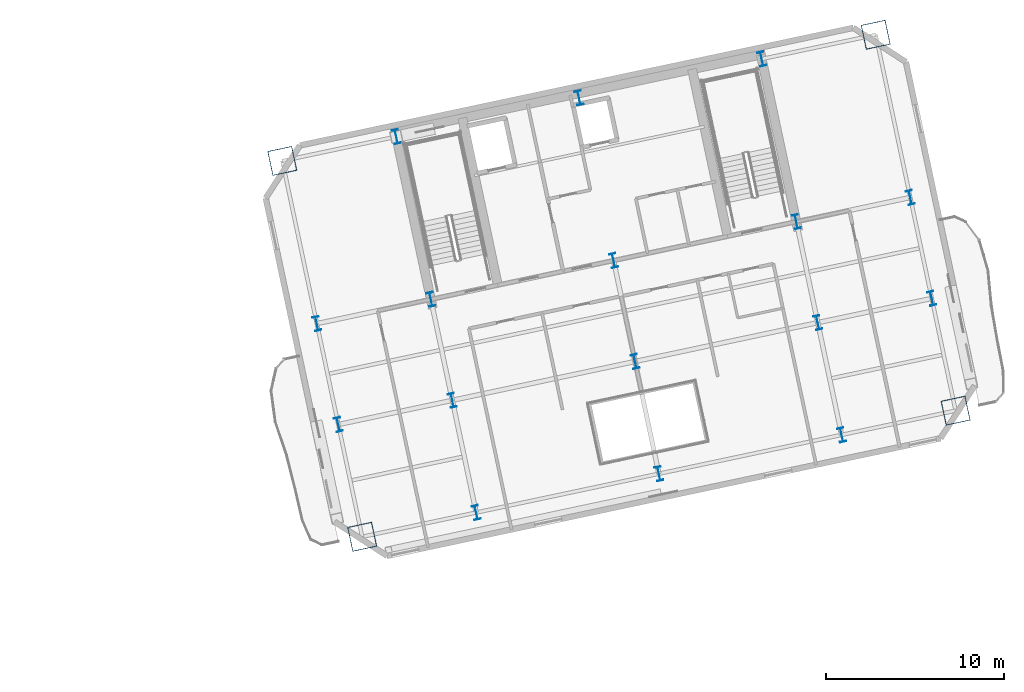
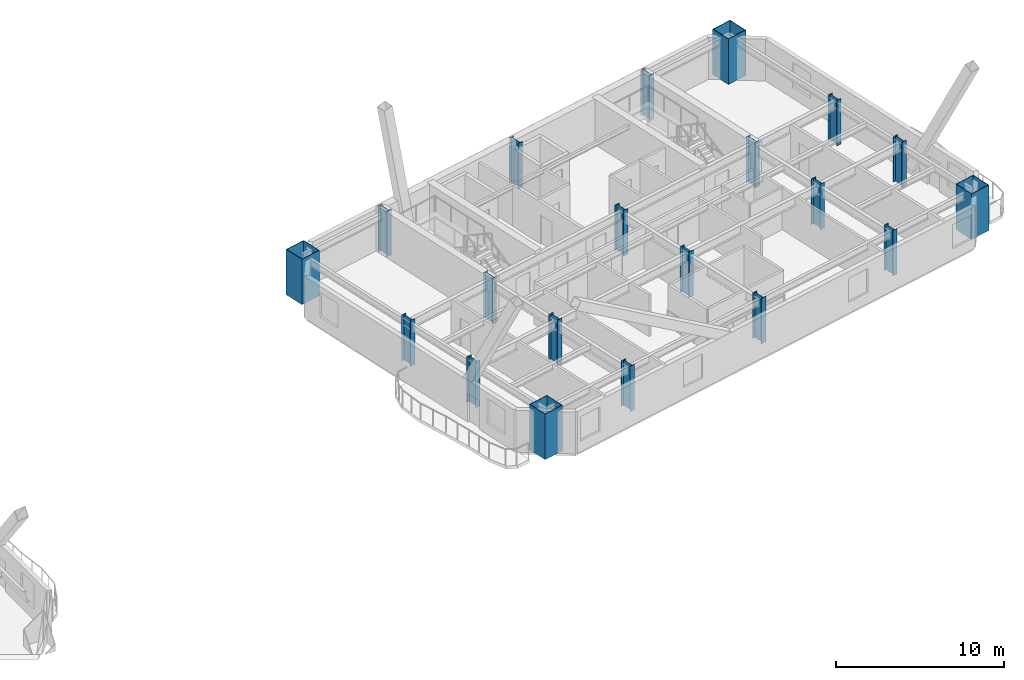
# One storey, part 2 of 14: 20 columns.
"""IFC4 building model written with IfcOpenShell, lengths in metres."""

from ifc_helpers import new_model, si_unit, direction, frame, origin, origin_2d, place, context, subcontext, project, spatial, hollow_rectangle, i_section, extrude, material, material_profile, profile_set, type_object, element, save


model = new_model("IFC4")

# Units and contexts
model_context = context("Model", 3, precision=1e-05, world=origin(), true_north=direction((0.0, 1.0)))
body_context = subcontext(model_context, "Body", "Model", "MODEL_VIEW")
ifc_project = project(units=[si_unit("LENGTHUNIT", "METRE"), si_unit("AREAUNIT", "SQUARE_METRE"), si_unit("VOLUMEUNIT", "CUBIC_METRE"), si_unit("PLANEANGLEUNIT", "RADIAN"), si_unit("MASSUNIT", "GRAM", prefix="KILO")], contexts=[model_context])

# Site, building, storey
site_placement = place(None, origin())
site = spatial("IfcSite", under=ifc_project, at=site_placement, CompositionType="ELEMENT")
building_placement = place(site_placement, origin())
building = spatial("IfcBuilding", under=site, at=building_placement, Name="Haevon Station Towers", CompositionType="ELEMENT")
storey_placement = place(building_placement, frame((0.0, 0.0, 123.0)))
storey = spatial("IfcBuildingStorey", under=building, at=storey_placement, Name="L33", CompositionType="ELEMENT", Elevation=123.0)

# Columns
ifc_material = material(Name="Steel S460", Category="steel")
ifc_material_profile_1 = material_profile(ifc_material, hollow_rectangle(XDim=1.39990234375, YDim=1.39990234375, WallThickness=0.035888671875, at=origin_2d()), Name="BOX-1400x1400x36")
ifc_profile_set_1 = profile_set([ifc_material_profile_1], Name="Steel S460")
column_type_1 = type_object("IfcColumnType", Name="COL-MC3", PredefinedType="COLUMN", material=ifc_profile_set_1)
for number, where, z_axis, x_axis, name in (
    (1, (94.892333984375, 24.098388671875, 0.0), (0.0, 0.0, 1.0), (0.978147600734, 0.207911690818, 0.0), "COL-T2-L33-01-01"),
    (2, (90.401611328125, 45.226318359375, 0.0), (0.0, 0.0, 1.0), (0.978147600734, 0.207911690818, 0.0), "COL-T2-L33-01-04"),
    (3, (128.247314453125, 31.18798828125, 0.0), (0.0, 0.0, 1.0), (0.978147600734, 0.207911690818, 0.0), "COL-T2-L33-05-01"),
    (4, (123.75634765625, 52.316162109375, 0.0), (0.0, 0.0, 1.0), (0.978147600734, 0.207911690818, 0.0), "COL-T2-L33-05-04"),
):
    element("IfcColumn", number, at=place(storey_placement, frame(where, z_axis=z_axis, x_axis=x_axis)), inside=storey, type_object=column_type_1, Name=name, PredefinedType="COLUMN", context=body_context, shape_type="SweptSolid", body=[
        extrude(hollow_rectangle(XDim=1.39990234375, YDim=1.39990234375, WallThickness=0.035888671875, at=origin_2d()), origin(), (0.0, 0.0, 1.0), 3.300048828125),
    ])
ifc_material_profile_2 = material_profile(ifc_material, i_section(OverallWidth=0.35009765625, OverallDepth=0.800048828125, WebThickness=0.01806640625, FlangeThickness=0.031982421875, at=origin_2d()), Name="H-800x350x18x32")
ifc_profile_set_2 = profile_set([ifc_material_profile_2], Name="Steel S460")
column_type_2 = type_object("IfcColumnType", Name="COL-TW2", PredefinedType="COLUMN", material=ifc_profile_set_2)
for number, where, z_axis, x_axis, name in (
    (5, (93.55126953125, 30.4072265625, 0.0), (0.0, 0.0, 1.0), (0.978147600734, 0.207911690818, 0.0), "COL-T2-L33-01-02"),
    (6, (92.345458984375, 36.08056640625, 0.0), (0.0, 0.0, 1.0), (0.978147600734, 0.207911690818, 0.0), "COL-T2-L33-01-03"),
    (7, (101.29931640625, 25.460205078125, 0.0), (0.0, 0.0, 1.0), (0.978147600734, 0.207911690818, 0.0), "COL-T2-L33-02-01"),
    (8, (99.958251953125, 31.76904296875, 0.0), (0.0, 0.0, 1.0), (0.978147600734, 0.207911690818, 0.0), "COL-T2-L33-02-02"),
    (9, (98.75244140625, 37.4423828125, 0.0), (0.0, 0.0, 1.0), (0.978147600734, 0.207911690818, 0.0), "COL-T2-L33-02-03"),
    (10, (96.808349609375, 46.588134765625, 0.0), (0.0, 0.0, 1.0), (0.978147600734, 0.207911690818, 0.0), "COL-T2-L33-02-04"),
    (11, (111.56982421875, 27.64306640625, 0.0), (0.0, 0.0, 1.0), (0.978147600734, 0.207911690818, 0.0), "COL-T2-L33-03-01"),
    (12, (110.228759765625, 33.9521484375, 0.0), (0.0, 0.0, 1.0), (0.978147600734, 0.207911690818, 0.0), "COL-T2-L33-03-02"),
    (13, (109.02294921875, 39.62548828125, 0.0), (0.0, 0.0, 1.0), (0.978147600734, 0.207911690818, 0.0), "COL-T2-L33-03-03"),
    (14, (107.078857421875, 48.771240234375, 0.0), (0.0, 0.0, 1.0), (0.978147600734, 0.207911690818, 0.0), "COL-T2-L33-03-04"),
    (15, (121.84033203125, 29.826171875, 0.0), (0.0, 0.0, 1.0), (0.978147600734, 0.207911690818, 0.0), "COL-T2-L33-04-01"),
    (16, (120.499267578125, 36.13525390625, 0.0), (0.0, 0.0, 1.0), (0.978147600734, 0.207911690818, 0.0), "COL-T2-L33-04-02"),
    (17, (119.29345703125, 41.80859375, 0.0), (0.0, 0.0, 1.0), (0.978147600734, 0.207911690818, 0.0), "COL-T2-L33-04-03"),
    (18, (117.349365234375, 50.954345703125, 0.0), (0.0, 0.0, 1.0), (0.978147600734, 0.207911690818, 0.0), "COL-T2-L33-04-04"),
    (19, (126.90625, 37.4970703125, 0.0), (0.0, 0.0, 1.0), (0.978147600734, 0.207911690818, 0.0), "COL-T2-L33-05-02"),
    (20, (125.7001953125, 43.17041015625, 0.0), (0.0, 0.0, 1.0), (0.978147600734, 0.207911690818, 0.0), "COL-T2-L33-05-03"),
):
    element("IfcColumn", number, at=place(storey_placement, frame(where, z_axis=z_axis, x_axis=x_axis)), inside=storey, type_object=column_type_2, Name=name, PredefinedType="COLUMN", context=body_context, shape_type="SweptSolid", body=[
        extrude(i_section(OverallWidth=0.35009765625, OverallDepth=0.800048828125, WebThickness=0.01806640625, FlangeThickness=0.031982421875, at=origin_2d()), origin(), (0.0, 0.0, 1.0), 3.300048828125),
    ])

save(model, "model.ifc")
